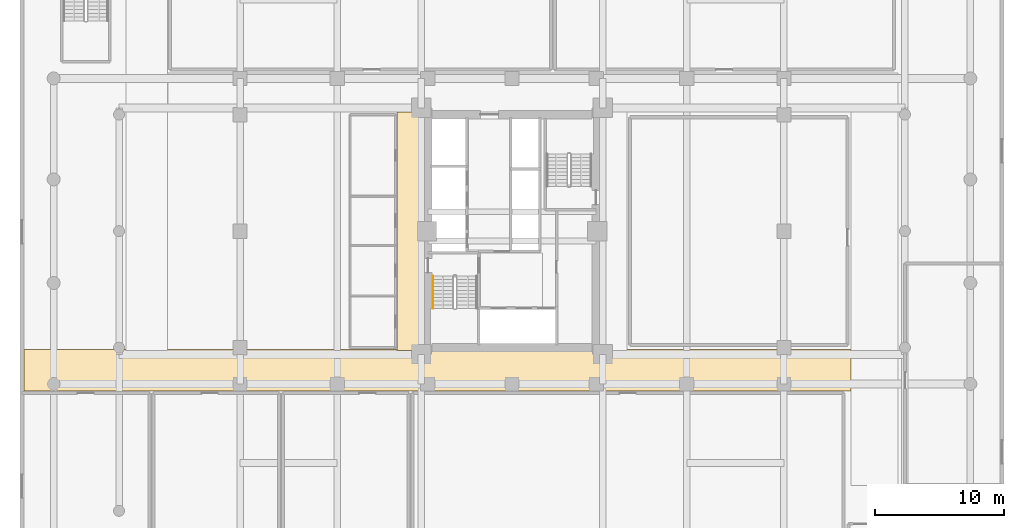
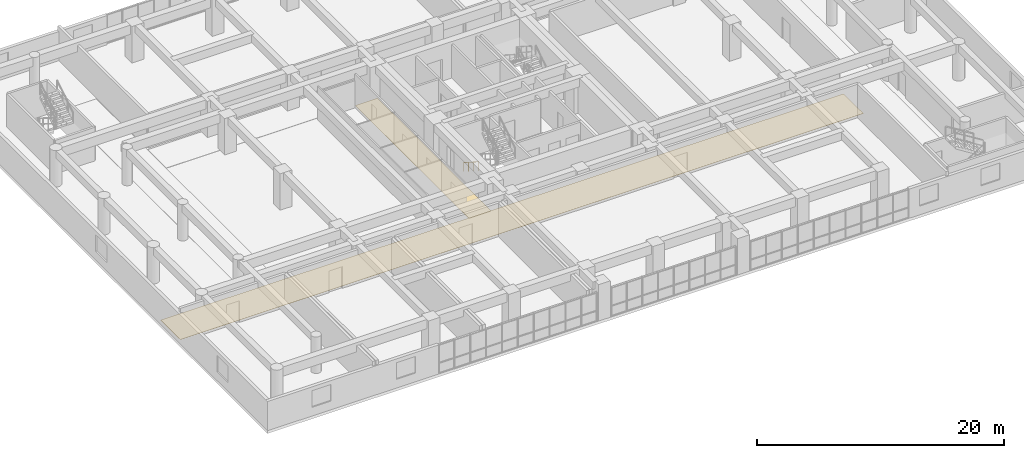
# One storey, part 25 of 30: 2 coverings, 1 railing.
"""IFC4 building model written with IfcOpenShell, lengths in metres."""

from ifc_helpers import new_model, si_unit, direction, frame, origin, origin_2d, place, context, subcontext, project, spatial, polyline, rectangle, outline, extrude, material, layer, layer_set, type_object, element, save


model = new_model("IFC4")

# Units and contexts
model_context = context("Model", 3, precision=1e-05, world=origin(), true_north=direction((0.0, 1.0)))
body_context = subcontext(model_context, "Body", "Model", "MODEL_VIEW")
ifc_project = project(units=[si_unit("LENGTHUNIT", "METRE"), si_unit("AREAUNIT", "SQUARE_METRE"), si_unit("VOLUMEUNIT", "CUBIC_METRE"), si_unit("PLANEANGLEUNIT", "RADIAN"), si_unit("MASSUNIT", "GRAM", prefix="KILO")], contexts=[model_context])

# Site, building, storey
site_placement = place(None, origin())
site = spatial("IfcSite", under=ifc_project, at=site_placement, CompositionType="ELEMENT")
building_placement = place(site_placement, origin())
building = spatial("IfcBuilding", under=site, at=building_placement, Name="Saelheon Loggia Tower", CompositionType="ELEMENT")
storey_placement = place(building_placement, frame((0.0, 0.0, 7.800048828125)))
storey = spatial("IfcBuildingStorey", under=building, at=storey_placement, Name="L02", CompositionType="ELEMENT", Elevation=7.800048828125)

# Coverings
ifc_material_1 = material(Name="Vitrified Porcelain Floor Tile", Category="ceramic")
ifc_layer = layer(ifc_material_1, 0.02001953125)
ifc_layer_set = layer_set([ifc_layer], Name="Vitrified Porcelain Floor Tile")
covering_type = type_object("IfcCoveringType", Name="Cov_Floor_Porcelain", PredefinedType="FLOORING", material=ifc_layer_set)
covering_1_placement = place(storey_placement, origin())
element("IfcCovering", 1, at=covering_1_placement, inside=storey, type_object=covering_type, Name="L02 Corridor Porcelain Flooring", PredefinedType="FLOORING", context=body_context, shape_type="SweptSolid", body=[
    extrude(outline(polyline([(0.300048828125, 14.64990234375), (64.179931640625, 14.64990234375), (64.179931640625, 17.85009765625), (0.300048828125, 17.85009765625), (0.300048828125, 14.64990234375)])), origin(), (0.0, 0.0, 1.0), 0.02001953125),
])
covering_2_placement = place(storey_placement, origin())
element("IfcCovering", 2, at=covering_2_placement, inside=storey, type_object=covering_type, Name="L02 Corridor Porcelain Flooring", PredefinedType="FLOORING", context=body_context, shape_type="SweptSolid", body=[
    extrude(outline(polyline([(29.10009765625, 17.800048828125), (31.179931640625, 17.800048828125), (31.179931640625, 36.199951171875), (29.10009765625, 36.199951171875), (29.10009765625, 17.800048828125)])), origin(), (0.0, 0.0, 1.0), 0.02001953125),
])

# Railing
ifc_material_2 = material(Name="Stainless Steel 304 Tubular Handrail", Category="steel")
railing_type = type_object("IfcRailingType", Name="Handrail_Stair_RL_HR1", PredefinedType="HANDRAIL", material=ifc_material_2)
railing_placement = place(storey_placement, frame((31.89990234375, 23.550048828125, 0.179931640625)))
element("IfcRailing", 3, at=railing_placement, inside=storey, type_object=railing_type, Name="L02 ST1 stair handrail 1", PredefinedType="HANDRAIL", context=body_context, shape_type="SweptSolid", body=[
    extrude(rectangle(XDim=0.048095703125, YDim=0.048095703125, at=origin_2d()), frame((0.0, -0.028076171875, 0.893798828125), z_axis=(0.0, -0.841162588446, 0.540782303519), x_axis=(1.0, 0.0, 0.0)), (0.0, 0.0, 1.0), 0.93212890625),
    extrude(rectangle(XDim=0.048095703125, YDim=0.048095703125, at=origin_2d()), frame((0.0, -0.867919921875, 1.433837890625), z_axis=(0.0, -0.841162588446, 0.540782303519), x_axis=(1.0, 0.0, 0.0)), (0.0, 0.0, 1.0), 0.93212890625),
    extrude(rectangle(XDim=0.048095703125, YDim=0.048095703125, at=origin_2d()), frame((0.0, -1.7080078125, 1.973876953125), z_axis=(0.0, -0.841162588446, 0.540782303519), x_axis=(1.0, 0.0, 0.0)), (0.0, 0.0, 1.0), 0.93212890625),
    extrude(rectangle(XDim=0.0419921875, YDim=0.0419921875, at=origin_2d()), origin(), (0.0, 0.0, 1.0), 0.847900390625),
    extrude(rectangle(XDim=0.0419921875, YDim=0.0419921875, at=origin_2d()), frame((0.0, -0.840087890625, 0.5400390625)), (0.0, 0.0, 1.0), 0.847900390625),
    extrude(rectangle(XDim=0.0419921875, YDim=0.0419921875, at=origin_2d()), frame((0.0, -1.679931640625, 1.080078125)), (0.0, 0.0, 1.0), 0.847900390625),
    extrude(rectangle(XDim=0.0419921875, YDim=0.0419921875, at=origin_2d()), frame((0.0, -2.52001953125, 1.6201171875)), (0.0, 0.0, 1.0), 0.847900390625),
])

save(model, "model.ifc")
